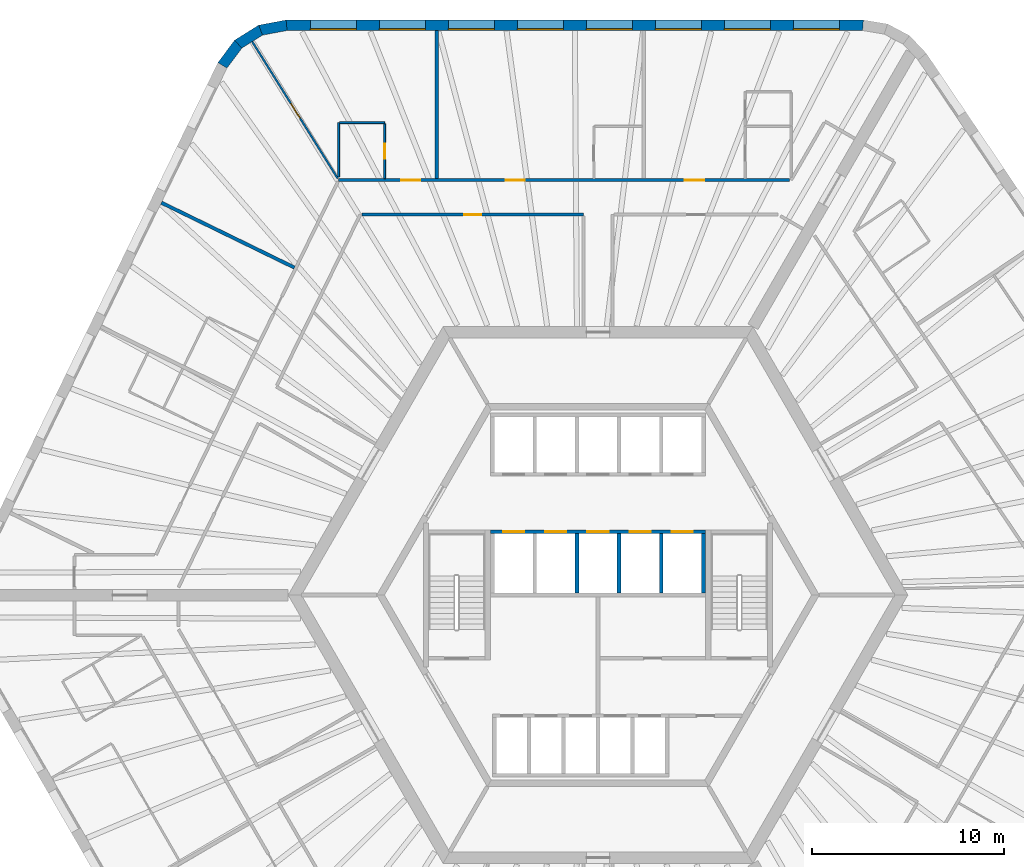
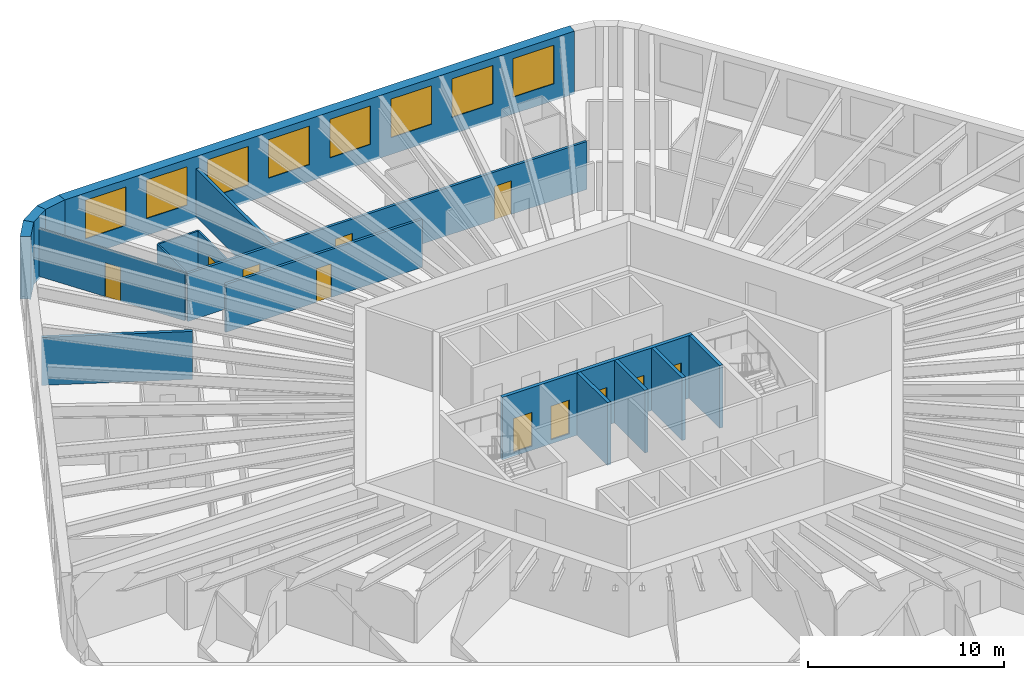
# One storey, part 8 of 12: 17 walls, 11 doors, 8 windows, 19 openings.
"""IFC4 building model written with IfcOpenShell, lengths in metres."""

from ifc_helpers import new_model, si_unit, direction, frame, frame_2d, origin, place, context, subcontext, project, spatial, polyline, rectangle, outline, extrude, material, layer, layer_set, type_object, element, fill, save


model = new_model("IFC4")

# Units and contexts
model_context = context("Model", 3, precision=1e-05, world=origin(), true_north=direction((0.0, 1.0)))
body_context = subcontext(model_context, "Body", "Model", "MODEL_VIEW")
ifc_project = project(units=[si_unit("LENGTHUNIT", "METRE"), si_unit("AREAUNIT", "SQUARE_METRE"), si_unit("VOLUMEUNIT", "CUBIC_METRE"), si_unit("PLANEANGLEUNIT", "RADIAN"), si_unit("MASSUNIT", "GRAM", prefix="KILO")], contexts=[model_context])

# Site, building, storey
site_placement = place(None, origin())
site = spatial("IfcSite", under=ifc_project, at=site_placement, CompositionType="ELEMENT")
building_placement = place(site_placement, origin())
building = spatial("IfcBuilding", under=site, at=building_placement, Name="Tarnside Tower", CompositionType="ELEMENT")
storey_placement = place(building_placement, frame((0.0, 0.0, 88.199951171875)))
storey = spatial("IfcBuildingStorey", under=building, at=storey_placement, Name="L19", CompositionType="ELEMENT", Elevation=88.199951171875)

# Walls
ifc_material_1 = material(Name="Gypsum board partition on steel studs", Category="steel")
ifc_layer_1 = layer(ifc_material_1, 0.10009765625)
ifc_layer_set_1 = layer_set([ifc_layer_1], Name="Bathroom wall 100")
wall_type_1 = type_object("IfcWallType", Name="Bathroom wall 100", PredefinedType="PARTITIONING", material=ifc_layer_set_1)
wall_1_placement = place(storey_placement, frame((-13.5283203125, 21.821044921875, 0.0), z_axis=(0.0, 0.0, 1.0), x_axis=(0.0, 1.0, 0.0)))
element("IfcWall", 1, at=wall_1_placement, inside=storey, type_object=wall_type_1, Name="Bathroom wall 05090", PredefinedType="PARTITIONING", context=body_context, shape_type="SweptSolid", body=[
    extrude(rectangle(XDim=2.828857421875, YDim=0.10009765625, at=frame_2d((1.41455078125, 0.0))), origin(), (0.0, 0.0, 1.0), 2.98779296875),
])
wall_2_placement = place(storey_placement, frame((-13.478515625, 24.64990234375, 0.0), z_axis=(0.0, 0.0, 1.0), x_axis=(1.0, 0.0, 0.0)))
element("IfcWall", 2, at=wall_2_placement, inside=storey, type_object=wall_type_1, Name="Bathroom wall 05091", PredefinedType="PARTITIONING", context=body_context, shape_type="SweptSolid", body=[
    extrude(rectangle(XDim=2.35009765625, YDim=0.10009765625, at=frame_2d((1.175048828125, 0.0))), origin(), (0.0, 0.0, 1.0), 2.98779296875),
])

# Wall, opening, door
wall_3_placement = place(storey_placement, frame((-11.12841796875, 24.60009765625, 0.0), z_axis=(0.0, 0.0, 1.0), x_axis=(0.0, -1.0, 0.0)))
wall_3 = element("IfcWall", 3, at=wall_3_placement, inside=storey, type_object=wall_type_1, Name="Bathroom wall 05092", PredefinedType="PARTITIONING", context=body_context, shape_type="SweptSolid", body=[
    extrude(rectangle(XDim=2.875, YDim=0.10009765625, at=frame_2d((1.4375, 0.0))), origin(), (0.0, 0.0, 1.0), 2.98779296875),
])
opening_1_placement = place(wall_3_placement, frame((1.050048828125, 0.0, 0.0)))
opening_1 = element("IfcOpeningElement", 4, at=opening_1_placement, cuts=wall_3, Name="Opening D-B1", PredefinedType="OPENING", context=body_context, shape_type="SweptSolid", body=[
    extrude(rectangle(XDim=0.800048828125, YDim=2.10009765625, at=frame_2d((0.39990234375, 1.050048828125))), frame((0.0, 0.06005859375, 0.0), z_axis=(0.0, -1.0, 0.0), x_axis=(1.0, 0.0, 0.0)), (0.0, 0.0, 1.0), 0.1201171875),
])
ifc_material_2 = material(Name="Timber door leaf", Category="wood")
door_type_1 = type_object("IfcDoorType", Name="Bathroom door 800", OperationType="NOTDEFINED", PredefinedType="DOOR", material=ifc_material_2)
door_1_placement = place(opening_1_placement, origin())
door_1 = element("IfcDoor", 5, at=door_1_placement, inside=storey, type_object=door_type_1, Name="Bathroom door 05007", OperationType="SINGLE_SWING_RIGHT", OverallHeight=2.10009765625, OverallWidth=0.800048828125, PredefinedType="DOOR", context=body_context, shape_type="SweptSolid", body=[
    extrude(rectangle(XDim=0.800048828125, YDim=2.10009765625, at=frame_2d((0.39990234375, 1.050048828125))), frame((0.0, 0.02490234375, 0.0), z_axis=(0.0, -1.0, 0.0), x_axis=(1.0, 0.0, 0.0)), (0.0, 0.0, 1.0), 0.050048828125),
])
fill(opening_1, door_1)

# Wall, openings, doors
ifc_layer_2 = layer(ifc_material_1, 0.14990234375)
ifc_layer_set_2 = layer_set([ifc_layer_2], Name="Corridor wall 150 EI 60")
wall_type_2 = type_object("IfcWallType", Name="Corridor wall 150 EI 60", PredefinedType="PARTITIONING", material=ifc_layer_set_2)
wall_4_placement = place(storey_placement, frame((9.988037109375, 21.64990234375, 0.0), z_axis=(0.0, 0.0, 1.0), x_axis=(-1.0, 0.0, 0.0)))
wall_4 = element("IfcWall", 6, at=wall_4_placement, inside=storey, type_object=wall_type_2, Name="Corridor wall 05001", PredefinedType="PARTITIONING", context=body_context, shape_type="SweptSolid", body=[
    extrude(rectangle(XDim=23.516357421875, YDim=0.14990234375, at=frame_2d((11.75830078125, 0.0))), origin(), (0.0, 0.0, 1.0), 2.98779296875),
])
opening_2_placement = place(wall_4_placement, frame((4.456298828125, 0.0, 0.0)))
opening_2 = element("IfcOpeningElement", 7, at=opening_2_placement, cuts=wall_4, Name="Opening D-E1", PredefinedType="OPENING", context=body_context, shape_type="SweptSolid", body=[
    extrude(rectangle(XDim=1.0, YDim=2.10009765625, at=frame_2d((0.5, 1.050048828125))), frame((0.0, 0.0849609375, 0.0), z_axis=(0.0, -1.0, 0.0), x_axis=(1.0, 0.0, 0.0)), (0.0, 0.0, 1.0), 0.169921875),
])
opening_3_placement = place(wall_4_placement, frame((13.79931640625, 0.0, 0.0)))
opening_3 = element("IfcOpeningElement", 8, at=opening_3_placement, cuts=wall_4, Name="Opening D-E1", PredefinedType="OPENING", context=body_context, shape_type="SweptSolid", body=[
    extrude(rectangle(XDim=1.0, YDim=2.10009765625, at=frame_2d((0.5, 1.050048828125))), frame((0.0, 0.0849609375, 0.0), z_axis=(0.0, -1.0, 0.0), x_axis=(1.0, 0.0, 0.0)), (0.0, 0.0, 1.0), 0.169921875),
])
opening_4_placement = place(wall_4_placement, frame((19.2578125, 0.0, 0.0)))
opening_4 = element("IfcOpeningElement", 9, at=opening_4_placement, cuts=wall_4, Name="Opening D-E1", PredefinedType="OPENING", context=body_context, shape_type="SweptSolid", body=[
    extrude(rectangle(XDim=1.0, YDim=2.10009765625, at=frame_2d((0.5, 1.050048828125))), frame((0.0, 0.0849609375, 0.0), z_axis=(0.0, -1.0, 0.0), x_axis=(1.0, 0.0, 0.0)), (0.0, 0.0, 1.0), 0.169921875),
])
door_type_2 = type_object("IfcDoorType", Name="Unit entrance door 1000 FD30S", OperationType="NOTDEFINED", PredefinedType="DOOR", material=ifc_material_2)
door_2_placement = place(opening_2_placement, origin())
door_2 = element("IfcDoor", 10, at=door_2_placement, inside=storey, type_object=door_type_2, Name="Unit door 05001", OperationType="SINGLE_SWING_RIGHT", OverallHeight=2.10009765625, OverallWidth=1.0, PredefinedType="DOOR", context=body_context, shape_type="SweptSolid", body=[
    extrude(rectangle(XDim=1.0, YDim=2.10009765625, at=frame_2d((0.5, 1.050048828125))), frame((0.0, 0.02490234375, 0.0), z_axis=(0.0, -1.0, 0.0), x_axis=(1.0, 0.0, 0.0)), (0.0, 0.0, 1.0), 0.050048828125),
])
fill(opening_2, door_2)
door_3_placement = place(opening_3_placement, origin())
door_3 = element("IfcDoor", 11, at=door_3_placement, inside=storey, type_object=door_type_2, Name="Unit door 05004", OperationType="SINGLE_SWING_LEFT", OverallHeight=2.10009765625, OverallWidth=1.0, PredefinedType="DOOR", context=body_context, shape_type="SweptSolid", body=[
    extrude(rectangle(XDim=1.0, YDim=2.10009765625, at=frame_2d((0.5, 1.050048828125))), frame((0.0, 0.02490234375, 0.0), z_axis=(0.0, -1.0, 0.0), x_axis=(1.0, 0.0, 0.0)), (0.0, 0.0, 1.0), 0.050048828125),
])
fill(opening_3, door_3)
door_4_placement = place(opening_4_placement, origin())
door_4 = element("IfcDoor", 12, at=door_4_placement, inside=storey, type_object=door_type_2, Name="Unit door 05006", OperationType="SINGLE_SWING_RIGHT", OverallHeight=2.10009765625, OverallWidth=1.0, PredefinedType="DOOR", context=body_context, shape_type="SweptSolid", body=[
    extrude(rectangle(XDim=1.0, YDim=2.10009765625, at=frame_2d((0.5, 1.050048828125))), frame((0.0, 0.02490234375, 0.0), z_axis=(0.0, -1.0, 0.0), x_axis=(1.0, 0.0, 0.0)), (0.0, 0.0, 1.0), 0.050048828125),
])
fill(opening_4, door_4)

# Wall, opening, door
wall_5_placement = place(storey_placement, frame((-12.3203125, 19.85009765625, 0.0), z_axis=(0.0, 0.0, 1.0), x_axis=(1.0, 0.0, 0.0)))
wall_5 = element("IfcWall", 13, at=wall_5_placement, inside=storey, type_object=wall_type_2, Name="Corridor wall 05018", PredefinedType="PARTITIONING", context=body_context, shape_type="SweptSolid", body=[
    extrude(rectangle(XDim=11.5703125, YDim=0.14990234375, at=frame_2d((5.78515625, 0.0))), origin(), (0.0, 0.0, 1.0), 2.98779296875),
])
opening_5_placement = place(wall_5_placement, frame((5.335205078125, 0.0, 0.0)))
opening_5 = element("IfcOpeningElement", 14, at=opening_5_placement, cuts=wall_5, Name="Opening D-S1", PredefinedType="OPENING", context=body_context, shape_type="SweptSolid", body=[
    extrude(rectangle(XDim=0.89990234375, YDim=2.10009765625, at=frame_2d((0.449951171875, 1.050048828125))), frame((0.0, 0.0849609375, 0.0), z_axis=(0.0, -1.0, 0.0), x_axis=(1.0, 0.0, 0.0)), (0.0, 0.0, 1.0), 0.169921875),
])
door_type_3 = type_object("IfcDoorType", Name="Service room door 900 FD30S", OperationType="NOTDEFINED", PredefinedType="DOOR", material=ifc_material_2)
door_5_placement = place(opening_5_placement, origin())
door_5 = element("IfcDoor", 15, at=door_5_placement, inside=storey, type_object=door_type_3, Name="Service door 05041", OperationType="SINGLE_SWING_RIGHT", OverallHeight=2.10009765625, OverallWidth=0.89990234375, PredefinedType="DOOR", context=body_context, shape_type="SweptSolid", body=[
    extrude(rectangle(XDim=0.89990234375, YDim=2.10009765625, at=frame_2d((0.449951171875, 1.050048828125))), frame((0.0, 0.02490234375, 0.0), z_axis=(0.0, -1.0, 0.0), x_axis=(1.0, 0.0, 0.0)), (0.0, 0.0, 1.0), 0.050048828125),
])
fill(opening_5, door_5)

# Walls
ifc_layer_3 = layer(ifc_material_1, 0.179931640625)
ifc_layer_set_3 = layer_set([ifc_layer_3], Name="Demising wall 180 EI 60")
wall_type_3 = type_object("IfcWallType", Name="Demising wall 180 EI 60", PredefinedType="PARTITIONING", material=ifc_layer_set_3)
for number, where, z_axis, x_axis, name in (
    (16, (-8.4111328125, 29.449951171875, 0.0), (0.0, 0.0, 1.0), (0.0, -1.0, 0.0), "Demising wall 05089"),
    (17, (-22.7822265625, 20.469970703125, 0.0), (0.0, 0.0, 1.0), (0.898789402655, -0.438380667542, 0.0), "Demising wall 05094"),
):
    element("IfcWall", number, at=place(storey_placement, frame(where, z_axis=z_axis, x_axis=x_axis)), inside=storey, type_object=wall_type_3, Name=name, PredefinedType="PARTITIONING", context=body_context, shape_type="SweptSolid", body=[
        extrude(rectangle(XDim=7.724853515625, YDim=0.179931640625, at=frame_2d((3.8623046875, 0.0))), origin(), (0.0, 0.0, 1.0), 2.98779296875),
    ])

# Wall, openings, doors
ifc_material_3 = material(Name="Concrete C40/50", Category="concrete")
ifc_layer_4 = layer(ifc_material_3, 0.199951171875)
ifc_layer_set_4 = layer_set([ifc_layer_4], Name="Lift shaft wall 200 C40/50")
wall_type_4 = type_object("IfcWallType", Name="Lift shaft wall 200 C40/50", PredefinedType="SHEAR", material=ifc_layer_set_4)
wall_6_placement = place(storey_placement, frame((-5.60009765625, 3.300048828125, -0.25), z_axis=(0.0, 0.0, 1.0), x_axis=(1.0, 0.0, 0.0)))
wall_6 = element("IfcWall", 18, at=wall_6_placement, inside=storey, type_object=wall_type_4, Name="L19 lift shaft front wall R2", PredefinedType="SHEAR", context=body_context, shape_type="SweptSolid", body=[
    extrude(rectangle(XDim=11.2001953125, YDim=0.199951171875, at=frame_2d((5.60009765625, 0.0))), origin(), (0.0, 0.0, 1.0), 3.900146484375),
])
opening_6_placement = place(wall_6_placement, frame((0.64990234375, 0.0, 0.25)))
opening_6 = element("IfcOpeningElement", 19, at=opening_6_placement, cuts=wall_6, Name="Opening LD", PredefinedType="OPENING", context=body_context, shape_type="SweptSolid", body=[
    extrude(rectangle(XDim=1.10009765625, YDim=2.10009765625, at=frame_2d((0.550048828125, 1.050048828125))), frame((0.0, 0.10986328125, 0.0), z_axis=(0.0, -1.0, 0.0), x_axis=(1.0, 0.0, 0.0)), (0.0, 0.0, 1.0), 0.219970703125),
])
opening_7_placement = place(wall_6_placement, frame((2.85009765625, 0.0, 0.25)))
opening_7 = element("IfcOpeningElement", 20, at=opening_7_placement, cuts=wall_6, Name="Opening LD", PredefinedType="OPENING", context=body_context, shape_type="SweptSolid", body=[
    extrude(rectangle(XDim=1.10009765625, YDim=2.10009765625, at=frame_2d((0.550048828125, 1.050048828125))), frame((0.0, 0.10986328125, 0.0), z_axis=(0.0, -1.0, 0.0), x_axis=(1.0, 0.0, 0.0)), (0.0, 0.0, 1.0), 0.219970703125),
])
opening_8_placement = place(wall_6_placement, frame((5.050048828125, 0.0, 0.25)))
opening_8 = element("IfcOpeningElement", 21, at=opening_8_placement, cuts=wall_6, Name="Opening LD", PredefinedType="OPENING", context=body_context, shape_type="SweptSolid", body=[
    extrude(rectangle(XDim=1.10009765625, YDim=2.10009765625, at=frame_2d((0.550048828125, 1.050048828125))), frame((0.0, 0.10986328125, 0.0), z_axis=(0.0, -1.0, 0.0), x_axis=(1.0, 0.0, 0.0)), (0.0, 0.0, 1.0), 0.219970703125),
])
opening_9_placement = place(wall_6_placement, frame((7.25, 0.0, 0.25)))
opening_9 = element("IfcOpeningElement", 22, at=opening_9_placement, cuts=wall_6, Name="Opening LD", PredefinedType="OPENING", context=body_context, shape_type="SweptSolid", body=[
    extrude(rectangle(XDim=1.10009765625, YDim=2.10009765625, at=frame_2d((0.550048828125, 1.050048828125))), frame((0.0, 0.10986328125, 0.0), z_axis=(0.0, -1.0, 0.0), x_axis=(1.0, 0.0, 0.0)), (0.0, 0.0, 1.0), 0.219970703125),
])
opening_10_placement = place(wall_6_placement, frame((9.449951171875, 0.0, 0.25)))
opening_10 = element("IfcOpeningElement", 23, at=opening_10_placement, cuts=wall_6, Name="Opening LD", PredefinedType="OPENING", context=body_context, shape_type="SweptSolid", body=[
    extrude(rectangle(XDim=1.10009765625, YDim=2.10009765625, at=frame_2d((0.550048828125, 1.050048828125))), frame((0.0, 0.10986328125, 0.0), z_axis=(0.0, -1.0, 0.0), x_axis=(1.0, 0.0, 0.0)), (0.0, 0.0, 1.0), 0.219970703125),
])
ifc_material_4 = material(Name="Stainless steel", Category="steel")
door_type_4 = type_object("IfcDoorType", Name="Lift landing door 1100x2100", OperationType="NOTDEFINED", PredefinedType="DOOR", material=ifc_material_4)
door_6_placement = place(opening_6_placement, origin())
door_6 = element("IfcDoor", 24, at=door_6_placement, inside=storey, type_object=door_type_4, Name="Low-rise lift 4 landing door L19", OperationType="SLIDING_TO_LEFT", OverallHeight=2.10009765625, OverallWidth=1.10009765625, PredefinedType="DOOR", context=body_context, shape_type="SweptSolid", body=[
    extrude(rectangle(XDim=1.10009765625, YDim=2.10009765625, at=frame_2d((0.550048828125, 1.050048828125))), frame((0.0, 0.02490234375, 0.0), z_axis=(0.0, -1.0, 0.0), x_axis=(1.0, 0.0, 0.0)), (0.0, 0.0, 1.0), 0.050048828125),
])
fill(opening_6, door_6)
door_7_placement = place(opening_7_placement, origin())
door_7 = element("IfcDoor", 25, at=door_7_placement, inside=storey, type_object=door_type_4, Name="Low-rise lift 5 landing door L19", OperationType="SLIDING_TO_LEFT", OverallHeight=2.10009765625, OverallWidth=1.10009765625, PredefinedType="DOOR", context=body_context, shape_type="SweptSolid", body=[
    extrude(rectangle(XDim=1.10009765625, YDim=2.10009765625, at=frame_2d((0.550048828125, 1.050048828125))), frame((0.0, 0.02490234375, 0.0), z_axis=(0.0, -1.0, 0.0), x_axis=(1.0, 0.0, 0.0)), (0.0, 0.0, 1.0), 0.050048828125),
])
fill(opening_7, door_7)
door_8_placement = place(opening_8_placement, origin())
door_8 = element("IfcDoor", 26, at=door_8_placement, inside=storey, type_object=door_type_4, Name="Low-rise lift 6 landing door L19", OperationType="SLIDING_TO_LEFT", OverallHeight=2.10009765625, OverallWidth=1.10009765625, PredefinedType="DOOR", context=body_context, shape_type="SweptSolid", body=[
    extrude(rectangle(XDim=1.10009765625, YDim=2.10009765625, at=frame_2d((0.550048828125, 1.050048828125))), frame((0.0, 0.02490234375, 0.0), z_axis=(0.0, -1.0, 0.0), x_axis=(1.0, 0.0, 0.0)), (0.0, 0.0, 1.0), 0.050048828125),
])
fill(opening_8, door_8)
door_9_placement = place(opening_9_placement, origin())
door_9 = element("IfcDoor", 27, at=door_9_placement, inside=storey, type_object=door_type_4, Name="High sky-lobby shuttle 1 landing door L19", OperationType="SLIDING_TO_LEFT", OverallHeight=2.10009765625, OverallWidth=1.10009765625, PredefinedType="DOOR", context=body_context, shape_type="SweptSolid", body=[
    extrude(rectangle(XDim=1.10009765625, YDim=2.10009765625, at=frame_2d((0.550048828125, 1.050048828125))), frame((0.0, 0.02490234375, 0.0), z_axis=(0.0, -1.0, 0.0), x_axis=(1.0, 0.0, 0.0)), (0.0, 0.0, 1.0), 0.050048828125),
])
fill(opening_9, door_9)
door_10_placement = place(opening_10_placement, origin())
door_10 = element("IfcDoor", 28, at=door_10_placement, inside=storey, type_object=door_type_4, Name="Express sky-lobby shuttle 2 landing door L19", OperationType="SLIDING_TO_LEFT", OverallHeight=2.10009765625, OverallWidth=1.10009765625, PredefinedType="DOOR", context=body_context, shape_type="SweptSolid", body=[
    extrude(rectangle(XDim=1.10009765625, YDim=2.10009765625, at=frame_2d((0.550048828125, 1.050048828125))), frame((0.0, 0.02490234375, 0.0), z_axis=(0.0, -1.0, 0.0), x_axis=(1.0, 0.0, 0.0)), (0.0, 0.0, 1.0), 0.050048828125),
])
fill(opening_10, door_10)

# Walls
for number, where, z_axis, x_axis, name in (
    (29, (-1.10009765625, 0.10009765625, -0.25), (0.0, 0.0, 1.0), (0.0, 1.0, 0.0), "L19 lift shaft partition R23"),
    (30, (1.10009765625, 0.10009765625, -0.25), (0.0, 0.0, 1.0), (0.0, 1.0, 0.0), "L19 lift shaft partition R24"),
    (31, (3.300048828125, 0.10009765625, -0.25), (0.0, 0.0, 1.0), (0.0, 1.0, 0.0), "L19 lift shaft partition R25"),
    (32, (5.5, 0.10009765625, -0.25), (0.0, 0.0, 1.0), (0.0, 1.0, 0.0), "L19 lift shaft partition R26"),
):
    element("IfcWall", number, at=place(storey_placement, frame(where, z_axis=z_axis, x_axis=x_axis)), inside=storey, type_object=wall_type_4, Name=name, PredefinedType="SHEAR", context=body_context, shape_type="SweptSolid", body=[
        extrude(rectangle(XDim=3.099853515625, YDim=0.199951171875, at=frame_2d((1.5498046875, 0.0))), origin(), (0.0, 0.0, 1.0), 3.900146484375),
    ])

# Wall, opening, door
ifc_layer_5 = layer(ifc_material_1, 0.10009765625)
ifc_layer_set_5 = layer_set([ifc_layer_5], Name="Partition 100")
wall_type_5 = type_object("IfcWallType", Name="Partition 100", PredefinedType="PARTITIONING", material=ifc_layer_set_5)
wall_7_placement = place(storey_placement, frame((-18.040771484375, 28.87109375, 0.0), z_axis=(0.0, 0.0, 1.0), x_axis=(0.529931179757, -0.848040650394, 0.0)))
wall_7 = element("IfcWall", 33, at=wall_7_placement, inside=storey, type_object=wall_type_5, Name="Partition wall 05093", PredefinedType="PARTITIONING", context=body_context, shape_type="SweptSolid", body=[
    extrude(rectangle(XDim=8.420654296875, YDim=0.10009765625, at=frame_2d((4.21044921875, 0.0))), origin(), (0.0, 0.0, 1.0), 2.98779296875),
])
opening_11_placement = place(wall_7_placement, frame((3.8076171875, 0.0, 0.0)))
opening_11 = element("IfcOpeningElement", 34, at=opening_11_placement, cuts=wall_7, Name="Opening D-I1", PredefinedType="OPENING", context=body_context, shape_type="SweptSolid", body=[
    extrude(rectangle(XDim=0.89990234375, YDim=2.10009765625, at=frame_2d((0.449951171875, 1.050048828125))), frame((0.0, 0.06005859375, 0.0), z_axis=(0.0, -1.0, 0.0), x_axis=(1.0, 0.0, 0.0)), (0.0, 0.0, 1.0), 0.1201171875),
])
door_type_5 = type_object("IfcDoorType", Name="Internal door 900", OperationType="NOTDEFINED", PredefinedType="DOOR", material=ifc_material_2)
door_11_placement = place(opening_11_placement, origin())
door_11 = element("IfcDoor", 35, at=door_11_placement, inside=storey, type_object=door_type_5, Name="Internal door 05008", OperationType="SINGLE_SWING_LEFT", OverallHeight=2.10009765625, OverallWidth=0.89990234375, PredefinedType="DOOR", context=body_context, shape_type="SweptSolid", body=[
    extrude(rectangle(XDim=0.89990234375, YDim=2.10009765625, at=frame_2d((0.449951171875, 1.050048828125))), frame((0.0, 0.02490234375, 0.0), z_axis=(0.0, -1.0, 0.0), x_axis=(1.0, 0.0, 0.0)), (0.0, 0.0, 1.0), 0.050048828125),
])
fill(opening_11, door_11)

# Wall, openings, windows
ifc_material_5 = material(Name="Facing brick", Category="masonry")
ifc_layer_6 = layer(ifc_material_5, 0.10205078125)
ifc_material_6 = material(Name="Concrete C60/75 precast", Category="concrete")
ifc_layer_7 = layer(ifc_material_6, 0.347900390625)
ifc_material_7 = material(Name="Mineral wool insulation")
ifc_layer_8 = layer(ifc_material_7, 0.10009765625)
ifc_layer_set_6 = layer_set([ifc_layer_6, ifc_layer_7, ifc_layer_8], Name="Tube wall 550 brick faced")
wall_type_6 = type_object("IfcWallType", Name="Tube wall 550 brick faced", PredefinedType="SOLIDWALL", material=ifc_layer_set_6)
wall_8_placement = place(storey_placement, frame((13.824462890625, 29.72509765625, -0.14990234375), z_axis=(0.0, 0.0, 1.0), x_axis=(-1.0, 0.0, 0.0)))
wall_8 = element("IfcWall", 36, at=wall_8_placement, inside=storey, type_object=wall_type_6, Name="Tube wall L19 F1 flush 00", PredefinedType="SOLIDWALL", context=body_context, shape_type="SweptSolid", body=[
    extrude(outline(polyline([(-0.0224609375, -0.27490234375), (30.0966796875, -0.27490234375), (30.04541015625, 0.27490234375), (0.0224609375, 0.27490234375), (-0.0224609375, -0.27490234375)])), origin(), (0.0, 0.0, 1.0), 3.89990234375),
])
opening_12_placement = place(wall_8_placement, frame((1.235595703125, 0.0, 1.050048828125)))
opening_12 = element("IfcOpeningElement", 37, at=opening_12_placement, cuts=wall_8, Name="Opening WH", PredefinedType="OPENING", context=body_context, shape_type="SweptSolid", body=[
    extrude(rectangle(XDim=2.39990234375, YDim=2.39990234375, at=frame_2d((1.199951171875, 1.199951171875))), frame((0.0, 0.28515625, 0.0), z_axis=(0.0, -1.0, 0.0), x_axis=(1.0, 0.0, 0.0)), (0.0, 0.0, 1.0), 0.570068359375),
])
opening_13_placement = place(wall_8_placement, frame((4.83544921875, 0.0, 1.050048828125)))
opening_13 = element("IfcOpeningElement", 38, at=opening_13_placement, cuts=wall_8, Name="Opening WH", PredefinedType="OPENING", context=body_context, shape_type="SweptSolid", body=[
    extrude(rectangle(XDim=2.39990234375, YDim=2.39990234375, at=frame_2d((1.199951171875, 1.199951171875))), frame((0.0, 0.28515625, 0.0), z_axis=(0.0, -1.0, 0.0), x_axis=(1.0, 0.0, 0.0)), (0.0, 0.0, 1.0), 0.570068359375),
])
opening_14_placement = place(wall_8_placement, frame((8.435546875, 0.0, 1.050048828125)))
opening_14 = element("IfcOpeningElement", 39, at=opening_14_placement, cuts=wall_8, Name="Opening WH", PredefinedType="OPENING", context=body_context, shape_type="SweptSolid", body=[
    extrude(rectangle(XDim=2.39990234375, YDim=2.39990234375, at=frame_2d((1.199951171875, 1.199951171875))), frame((0.0, 0.28515625, 0.0), z_axis=(0.0, -1.0, 0.0), x_axis=(1.0, 0.0, 0.0)), (0.0, 0.0, 1.0), 0.570068359375),
])
opening_15_placement = place(wall_8_placement, frame((12.035400390625, 0.0, 1.050048828125)))
opening_15 = element("IfcOpeningElement", 40, at=opening_15_placement, cuts=wall_8, Name="Opening WH", PredefinedType="OPENING", context=body_context, shape_type="SweptSolid", body=[
    extrude(rectangle(XDim=2.39990234375, YDim=2.39990234375, at=frame_2d((1.199951171875, 1.199951171875))), frame((0.0, 0.28515625, 0.0), z_axis=(0.0, -1.0, 0.0), x_axis=(1.0, 0.0, 0.0)), (0.0, 0.0, 1.0), 0.570068359375),
])
opening_16_placement = place(wall_8_placement, frame((15.635498046875, 0.0, 1.050048828125)))
opening_16 = element("IfcOpeningElement", 41, at=opening_16_placement, cuts=wall_8, Name="Opening WH", PredefinedType="OPENING", context=body_context, shape_type="SweptSolid", body=[
    extrude(rectangle(XDim=2.39990234375, YDim=2.39990234375, at=frame_2d((1.199951171875, 1.199951171875))), frame((0.0, 0.28515625, 0.0), z_axis=(0.0, -1.0, 0.0), x_axis=(1.0, 0.0, 0.0)), (0.0, 0.0, 1.0), 0.570068359375),
])
opening_17_placement = place(wall_8_placement, frame((19.235595703125, 0.0, 1.050048828125)))
opening_17 = element("IfcOpeningElement", 42, at=opening_17_placement, cuts=wall_8, Name="Opening WH", PredefinedType="OPENING", context=body_context, shape_type="SweptSolid", body=[
    extrude(rectangle(XDim=2.39990234375, YDim=2.39990234375, at=frame_2d((1.199951171875, 1.199951171875))), frame((0.0, 0.28515625, 0.0), z_axis=(0.0, -1.0, 0.0), x_axis=(1.0, 0.0, 0.0)), (0.0, 0.0, 1.0), 0.570068359375),
])
opening_18_placement = place(wall_8_placement, frame((22.83544921875, 0.0, 1.050048828125)))
opening_18 = element("IfcOpeningElement", 43, at=opening_18_placement, cuts=wall_8, Name="Opening WH", PredefinedType="OPENING", context=body_context, shape_type="SweptSolid", body=[
    extrude(rectangle(XDim=2.39990234375, YDim=2.39990234375, at=frame_2d((1.199951171875, 1.199951171875))), frame((0.0, 0.28515625, 0.0), z_axis=(0.0, -1.0, 0.0), x_axis=(1.0, 0.0, 0.0)), (0.0, 0.0, 1.0), 0.570068359375),
])
opening_19_placement = place(wall_8_placement, frame((26.435546875, 0.0, 1.050048828125)))
opening_19 = element("IfcOpeningElement", 44, at=opening_19_placement, cuts=wall_8, Name="Opening WH", PredefinedType="OPENING", context=body_context, shape_type="SweptSolid", body=[
    extrude(rectangle(XDim=2.39990234375, YDim=2.39990234375, at=frame_2d((1.199951171875, 1.199951171875))), frame((0.0, 0.28515625, 0.0), z_axis=(0.0, -1.0, 0.0), x_axis=(1.0, 0.0, 0.0)), (0.0, 0.0, 1.0), 0.570068359375),
])
ifc_material_8 = material(Name="Aluminium-framed double glazing", Category="aluminium")
window_type = type_object("IfcWindowType", Name="Hotel window 2400 x 2400", PartitioningType="DOUBLE_PANEL_VERTICAL", PredefinedType="WINDOW", material=ifc_material_8)
window_1_placement = place(opening_12_placement, frame((0.0, 0.205078125, 0.0)))
window_1 = element("IfcWindow", 45, at=window_1_placement, inside=storey, type_object=window_type, Name="E.WN.L19.F1.00", OverallHeight=2.39990234375, OverallWidth=2.39990234375, PartitioningType="DOUBLE_PANEL_VERTICAL", PredefinedType="WINDOW", context=body_context, shape_type="SweptSolid", body=[
    extrude(rectangle(XDim=2.39990234375, YDim=2.39990234375, at=frame_2d((1.199951171875, 1.199951171875))), frame((0.0, 0.030029296875, 0.0), z_axis=(0.0, -1.0, 0.0), x_axis=(1.0, 0.0, 0.0)), (0.0, 0.0, 1.0), 0.06005859375),
])
fill(opening_12, window_1)
window_2_placement = place(opening_13_placement, frame((0.0, 0.205078125, 0.0)))
window_2 = element("IfcWindow", 46, at=window_2_placement, inside=storey, type_object=window_type, Name="E.WN.L19.F1.01", OverallHeight=2.39990234375, OverallWidth=2.39990234375, PartitioningType="DOUBLE_PANEL_VERTICAL", PredefinedType="WINDOW", context=body_context, shape_type="SweptSolid", body=[
    extrude(rectangle(XDim=2.39990234375, YDim=2.39990234375, at=frame_2d((1.199951171875, 1.199951171875))), frame((0.0, 0.030029296875, 0.0), z_axis=(0.0, -1.0, 0.0), x_axis=(1.0, 0.0, 0.0)), (0.0, 0.0, 1.0), 0.06005859375),
])
fill(opening_13, window_2)
window_3_placement = place(opening_14_placement, frame((0.0, 0.205078125, 0.0)))
window_3 = element("IfcWindow", 47, at=window_3_placement, inside=storey, type_object=window_type, Name="E.WN.L19.F1.02", OverallHeight=2.39990234375, OverallWidth=2.39990234375, PartitioningType="DOUBLE_PANEL_VERTICAL", PredefinedType="WINDOW", context=body_context, shape_type="SweptSolid", body=[
    extrude(rectangle(XDim=2.39990234375, YDim=2.39990234375, at=frame_2d((1.199951171875, 1.199951171875))), frame((0.0, 0.030029296875, 0.0), z_axis=(0.0, -1.0, 0.0), x_axis=(1.0, 0.0, 0.0)), (0.0, 0.0, 1.0), 0.06005859375),
])
fill(opening_14, window_3)
window_4_placement = place(opening_15_placement, frame((0.0, 0.205078125, 0.0)))
window_4 = element("IfcWindow", 48, at=window_4_placement, inside=storey, type_object=window_type, Name="E.WN.L19.F1.03", OverallHeight=2.39990234375, OverallWidth=2.39990234375, PartitioningType="DOUBLE_PANEL_VERTICAL", PredefinedType="WINDOW", context=body_context, shape_type="SweptSolid", body=[
    extrude(rectangle(XDim=2.39990234375, YDim=2.39990234375, at=frame_2d((1.199951171875, 1.199951171875))), frame((0.0, 0.030029296875, 0.0), z_axis=(0.0, -1.0, 0.0), x_axis=(1.0, 0.0, 0.0)), (0.0, 0.0, 1.0), 0.06005859375),
])
fill(opening_15, window_4)
window_5_placement = place(opening_16_placement, frame((0.0, 0.205078125, 0.0)))
window_5 = element("IfcWindow", 49, at=window_5_placement, inside=storey, type_object=window_type, Name="E.WN.L19.F1.04", OverallHeight=2.39990234375, OverallWidth=2.39990234375, PartitioningType="DOUBLE_PANEL_VERTICAL", PredefinedType="WINDOW", context=body_context, shape_type="SweptSolid", body=[
    extrude(rectangle(XDim=2.39990234375, YDim=2.39990234375, at=frame_2d((1.199951171875, 1.199951171875))), frame((0.0, 0.030029296875, 0.0), z_axis=(0.0, -1.0, 0.0), x_axis=(1.0, 0.0, 0.0)), (0.0, 0.0, 1.0), 0.06005859375),
])
fill(opening_16, window_5)
window_6_placement = place(opening_17_placement, frame((0.0, 0.205078125, 0.0)))
window_6 = element("IfcWindow", 50, at=window_6_placement, inside=storey, type_object=window_type, Name="E.WN.L19.F1.05", OverallHeight=2.39990234375, OverallWidth=2.39990234375, PartitioningType="DOUBLE_PANEL_VERTICAL", PredefinedType="WINDOW", context=body_context, shape_type="SweptSolid", body=[
    extrude(rectangle(XDim=2.39990234375, YDim=2.39990234375, at=frame_2d((1.199951171875, 1.199951171875))), frame((0.0, 0.030029296875, 0.0), z_axis=(0.0, -1.0, 0.0), x_axis=(1.0, 0.0, 0.0)), (0.0, 0.0, 1.0), 0.06005859375),
])
fill(opening_17, window_6)
window_7_placement = place(opening_18_placement, frame((0.0, 0.205078125, 0.0)))
window_7 = element("IfcWindow", 51, at=window_7_placement, inside=storey, type_object=window_type, Name="E.WN.L19.F1.06", OverallHeight=2.39990234375, OverallWidth=2.39990234375, PartitioningType="DOUBLE_PANEL_VERTICAL", PredefinedType="WINDOW", context=body_context, shape_type="SweptSolid", body=[
    extrude(rectangle(XDim=2.39990234375, YDim=2.39990234375, at=frame_2d((1.199951171875, 1.199951171875))), frame((0.0, 0.030029296875, 0.0), z_axis=(0.0, -1.0, 0.0), x_axis=(1.0, 0.0, 0.0)), (0.0, 0.0, 1.0), 0.06005859375),
])
fill(opening_18, window_7)
window_8_placement = place(opening_19_placement, frame((0.0, 0.205078125, 0.0)))
window_8 = element("IfcWindow", 52, at=window_8_placement, inside=storey, type_object=window_type, Name="E.WN.L19.F1.07", OverallHeight=2.39990234375, OverallWidth=2.39990234375, PartitioningType="DOUBLE_PANEL_VERTICAL", PredefinedType="WINDOW", context=body_context, shape_type="SweptSolid", body=[
    extrude(rectangle(XDim=2.39990234375, YDim=2.39990234375, at=frame_2d((1.199951171875, 1.199951171875))), frame((0.0, 0.030029296875, 0.0), z_axis=(0.0, -1.0, 0.0), x_axis=(1.0, 0.0, 0.0)), (0.0, 0.0, 1.0), 0.06005859375),
])
fill(opening_19, window_8)

# Walls
wall_9_placement = place(storey_placement, frame((-16.24658203125, 29.72509765625, -0.14990234375), z_axis=(0.0, 0.0, 1.0), x_axis=(-0.982705443133, -0.185175624845, 0.0)))
element("IfcWall", 53, at=wall_9_placement, inside=storey, type_object=wall_type_6, Name="Tube wall L19 F1 chord 01", PredefinedType="SOLIDWALL", context=body_context, shape_type="SweptSolid", body=[
    extrude(outline(polyline([(-0.025634765625, -0.27490234375), (1.430908203125, -0.27490234375), (1.327392578125, 0.27490234375), (0.025634765625, 0.27490234375), (-0.025634765625, -0.27490234375)])), origin(), (0.0, 0.0, 1.0), 3.89990234375),
])
wall_10_placement = place(storey_placement, frame((-17.601806640625, 29.4697265625, -0.14990234375), z_axis=(0.0, 0.0, 1.0), x_axis=(-0.848057977594, -0.5299034503, 0.0)))
element("IfcWall", 54, at=wall_10_placement, inside=storey, type_object=wall_type_6, Name="Tube wall L19 F1 chord 02", PredefinedType="SOLIDWALL", context=body_context, shape_type="SweptSolid", body=[
    extrude(outline(polyline([(-0.0517578125, -0.27490234375), (1.4306640625, -0.27490234375), (1.3271484375, 0.27490234375), (0.0517578125, 0.27490234375), (-0.0517578125, -0.27490234375)])), origin(), (0.0, 0.0, 1.0), 3.89990234375),
])
wall_11_placement = place(storey_placement, frame((-18.771240234375, 28.739013671875, -0.14990234375), z_axis=(0.0, 0.0, 1.0), x_axis=(-0.597135295884, -0.802140535324, 0.0)))
element("IfcWall", 55, at=wall_11_placement, inside=storey, type_object=wall_type_6, Name="Tube wall L19 F1 chord 03", PredefinedType="SOLIDWALL", context=body_context, shape_type="SweptSolid", body=[
    extrude(outline(polyline([(-0.0517578125, -0.27490234375), (1.40478515625, -0.27490234375), (1.353515625, 0.27490234375), (0.0517578125, 0.27490234375), (-0.0517578125, -0.27490234375)])), origin(), (0.0, 0.0, 1.0), 3.89990234375),
])

save(model, "model.ifc")
